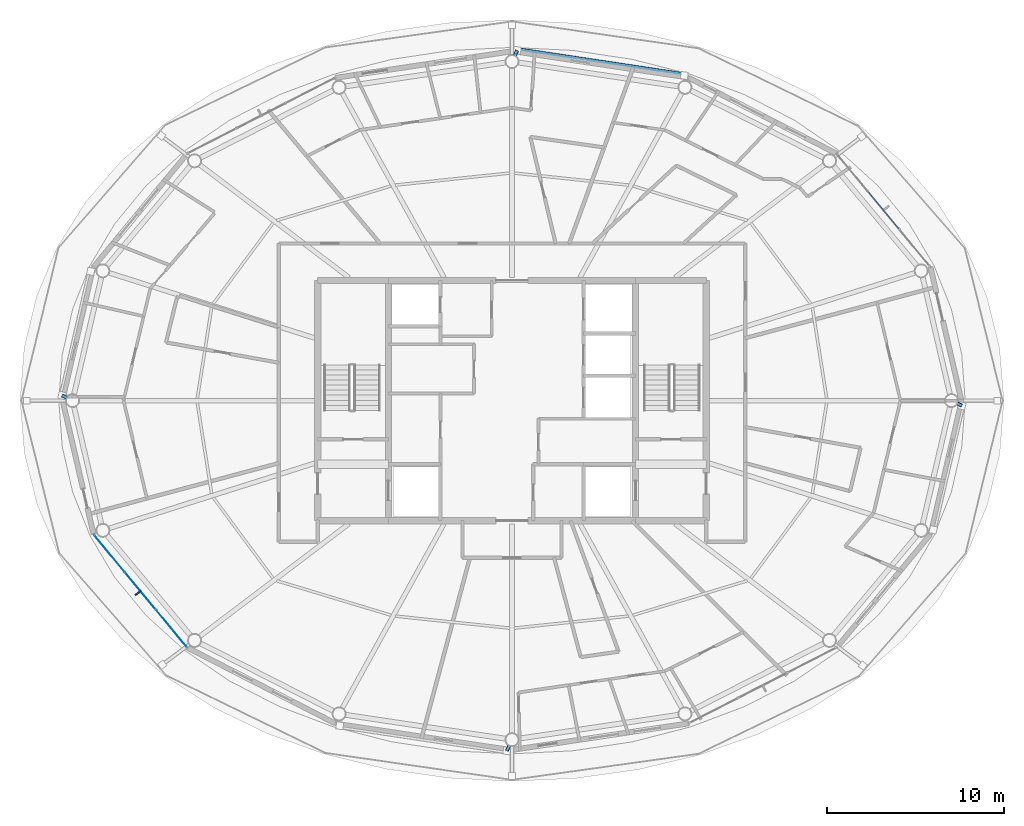
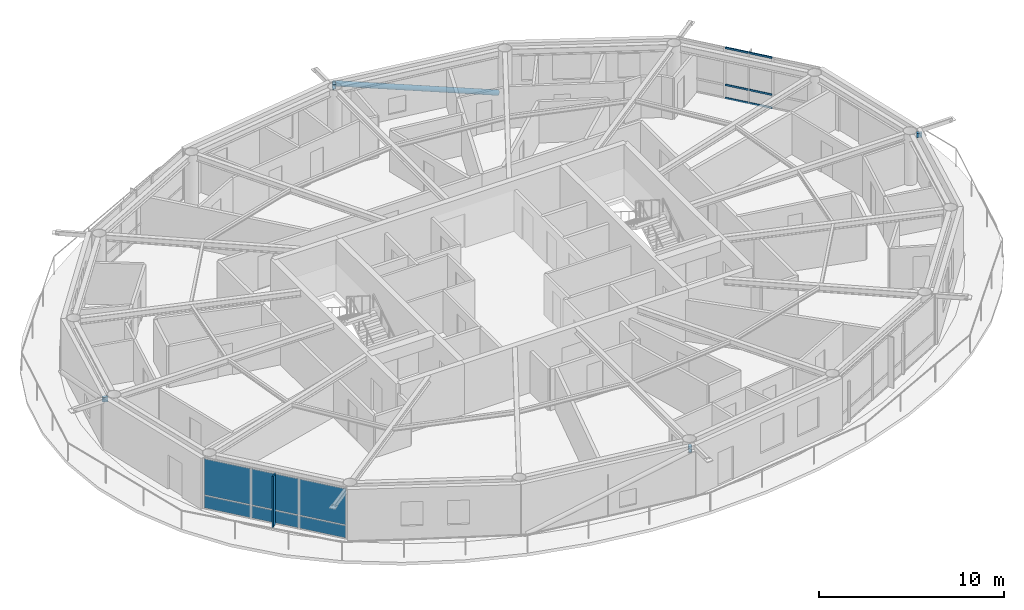
# One storey, part 12 of 23: 8 members, 7 plates, 2 elements without a shape of their own.
"""IFC4 building model written with IfcOpenShell, lengths in metres."""

from ifc_helpers import new_model, si_unit, direction, frame, origin, origin_2d, place, context, subcontext, project, spatial, rectangle, hollow_rectangle, hollow_circle, extrude, material, layer, layer_set, material_profile, profile_set, type_object, element, aggregate, save


model = new_model("IFC4")

# Units and contexts
model_context = context("Model", 3, precision=1e-05, world=origin(), true_north=direction((0.0, 1.0)))
body_context = subcontext(model_context, "Body", "Model", "MODEL_VIEW")
ifc_project = project(units=[si_unit("LENGTHUNIT", "METRE"), si_unit("AREAUNIT", "SQUARE_METRE"), si_unit("VOLUMEUNIT", "CUBIC_METRE"), si_unit("PLANEANGLEUNIT", "RADIAN"), si_unit("MASSUNIT", "GRAM", prefix="KILO")], contexts=[model_context])

# Site, building, storey
site_placement = place(None, origin())
site = spatial("IfcSite", under=ifc_project, at=site_placement, CompositionType="ELEMENT")
building_placement = place(site_placement, origin())
building = spatial("IfcBuilding", under=site, at=building_placement, Name="Sarneth Arch Tower", CompositionType="ELEMENT")
storey_placement = place(building_placement, frame((0.0, 0.0, 265.800048828125)))
storey = spatial("IfcBuildingStorey", under=building, at=storey_placement, Name="L68", CompositionType="ELEMENT", Elevation=265.800048828125)

# Curtain wall, members
ifc_material_1 = material(Name="Anodised aluminium Type AA25 and solar-control low-e laminated IGU", Category="aluminium")
ifc_layer_1 = layer(ifc_material_1, 0.179931640625)
ifc_layer_set_1 = layer_set([ifc_layer_1], Name="Anodised aluminium Type AA25 and solar-control low-e laminated IGU")
curtain_wall_type = type_object("IfcCurtainWallType", Name="CW-RES-HIGH", PredefinedType="NOTDEFINED", material=ifc_layer_set_1)
curtain_wall_1_placement = place(storey_placement, origin())
curtain_wall_1 = element("IfcCurtainWall", 1, at=curtain_wall_1_placement, inside=storey, type_object=curtain_wall_type, Name="L68 Unitised curtain wall facet 02", PredefinedType="NOTDEFINED")
ifc_material_2 = material(Name="Anodised Aluminium 6063-T6", Category="aluminium")
ifc_material_profile_1 = material_profile(ifc_material_2, hollow_rectangle(XDim=0.06005859375, YDim=0.1201171875, WallThickness=0.00390625, at=origin_2d()), Name="AL-TRAN-120x60x4")
ifc_profile_set_1 = profile_set([ifc_material_profile_1], Name="Anodised Aluminium 6063-T6")
member_type_1 = type_object("IfcMemberType", Name="CW-TRANSOM", PredefinedType="USERDEFINED", material=ifc_profile_set_1)
member_1_placement = place(storey_placement, frame((69.904296875, 51.731689453125, 0.030029296875), z_axis=(-0.637617371902, 0.770353222261, 0.0), x_axis=(-0.770353222261, -0.637617371902, 0.0)))
member_1 = element("IfcMember", 2, at=member_1_placement, type_object=member_type_1, Name="CW-SYS-6 transom 2.1", ObjectType="TRANSOM", PredefinedType="USERDEFINED", context=body_context, shape_type="SweptSolid", body=[
    extrude(hollow_rectangle(XDim=0.06005859375, YDim=0.1201171875, WallThickness=0.00390625, at=origin_2d()), origin(), (0.0, 0.0, 1.0), 2.716552734375),
])
member_2_placement = place(storey_placement, frame((69.904296875, 51.731689453125, 0.89990234375), z_axis=(-0.637617371902, 0.770353222261, 0.0), x_axis=(-0.770353222261, -0.637617371902, 0.0)))
member_2 = element("IfcMember", 3, at=member_2_placement, type_object=member_type_1, Name="CW-SYS-6 transom 2.2", ObjectType="TRANSOM", PredefinedType="USERDEFINED", context=body_context, shape_type="SweptSolid", body=[
    extrude(hollow_rectangle(XDim=0.06005859375, YDim=0.1201171875, WallThickness=0.00390625, at=origin_2d()), origin(), (0.0, 0.0, 1.0), 2.716552734375),
])
member_3_placement = place(storey_placement, frame((69.904296875, 51.731689453125, 3.33984375), z_axis=(-0.637617371902, 0.770353222261, 0.0), x_axis=(-0.770353222261, -0.637617371902, 0.0)))
member_3 = element("IfcMember", 4, at=member_3_placement, type_object=member_type_1, Name="CW-SYS-6 transom 2.3", ObjectType="TRANSOM", PredefinedType="USERDEFINED", context=body_context, shape_type="SweptSolid", body=[
    extrude(hollow_rectangle(XDim=0.06005859375, YDim=0.1201171875, WallThickness=0.00390625, at=origin_2d()), origin(), (0.0, 0.0, 1.0), 2.716552734375),
])
aggregate(curtain_wall_1, [member_1, member_2, member_3])

# Members
ifc_material_3 = material(Name="Steel S355", Category="steel")
ifc_material_profile_2 = material_profile(ifc_material_3, hollow_rectangle(XDim=0.199951171875, YDim=0.300048828125, WallThickness=0.012451171875, InnerFilletRadius=0.018798828125, OuterFilletRadius=0.03125, at=origin_2d()), Name="RHS300x200x12.5")
ifc_profile_set_2 = profile_set([ifc_material_profile_2], Name="Steel S355")
member_type_2 = type_object("IfcMemberType", Name="MEM-CANT-STRUT", PredefinedType="STRUT", material=ifc_profile_set_2)
member_4_placement = place(storey_placement, frame((48.14501953125, 61.5107421875, 3.092041015625), z_axis=(0.423071936831, 0.906096096596, 0.0), x_axis=(-0.906096096596, 0.423071936831, 0.0)))
element("IfcMember", 5, at=member_4_placement, inside=storey, type_object=member_type_2, Name="L68 Exoskeleton brace node strut 04B", PredefinedType="STRUT", context=body_context, shape_type="SweptSolid", body=[
    extrude(hollow_rectangle(XDim=0.199951171875, YDim=0.300048828125, WallThickness=0.012451171875, InnerFilletRadius=0.018798828125, OuterFilletRadius=0.03125, at=origin_2d()), origin(), (0.0, 0.0, 1.0), 0.3583984375),
])
member_5_placement = place(storey_placement, frame((22.80908203125, 42.151611328125, 3.092041015625), z_axis=(-0.897170676041, 0.441684025128, 0.0), x_axis=(-0.441684025128, -0.897170676041, 0.0)))
element("IfcMember", 6, at=member_5_placement, inside=storey, type_object=member_type_2, Name="L68 Exoskeleton brace node strut 08B", PredefinedType="STRUT", context=body_context, shape_type="SweptSolid", body=[
    extrude(hollow_rectangle(XDim=0.199951171875, YDim=0.300048828125, WallThickness=0.012451171875, InnerFilletRadius=0.018798828125, OuterFilletRadius=0.03125, at=origin_2d()), origin(), (0.0, 0.0, 1.0), 0.318359375),
])
member_6_placement = place(storey_placement, frame((47.85498046875, 22.4892578125, 3.092041015625), z_axis=(-0.423071936831, -0.906096096596, 0.0), x_axis=(0.906096096596, -0.423071936831, 0.0)))
element("IfcMember", 7, at=member_6_placement, inside=storey, type_object=member_type_2, Name="L68 Exoskeleton brace node strut 12B", PredefinedType="STRUT", context=body_context, shape_type="SweptSolid", body=[
    extrude(hollow_rectangle(XDim=0.199951171875, YDim=0.300048828125, WallThickness=0.012451171875, InnerFilletRadius=0.018798828125, OuterFilletRadius=0.03125, at=origin_2d()), origin(), (0.0, 0.0, 1.0), 0.3583984375),
])
member_7_placement = place(storey_placement, frame((73.19091796875, 41.848388671875, 3.092041015625), z_axis=(0.897170676041, -0.441684025128, 0.0), x_axis=(0.441684025128, 0.897170676041, 0.0)))
element("IfcMember", 8, at=member_7_placement, inside=storey, type_object=member_type_2, Name="L68 Exoskeleton brace node strut 16B", PredefinedType="STRUT", context=body_context, shape_type="SweptSolid", body=[
    extrude(hollow_rectangle(XDim=0.199951171875, YDim=0.300048828125, WallThickness=0.012451171875, InnerFilletRadius=0.018798828125, OuterFilletRadius=0.03125, at=origin_2d()), origin(), (0.0, 0.0, 1.0), 0.318359375),
])
ifc_material_4 = material(Name="Steel S355", Category="steel")
ifc_material_profile_3 = material_profile(ifc_material_4, hollow_circle(Radius=0.162109375, WallThickness=0.012451171875, at=origin_2d()), Name="CHS324x12.5")
ifc_profile_set_3 = profile_set([ifc_material_profile_3], Name="Steel S355")
member_type_3 = type_object("IfcMemberType", Name="MEM-DIAG-BR3", PredefinedType="BRACE", material=ifc_profile_set_3)
member_8_placement = place(storey_placement, frame((57.754150390625, 60.411376953125, 0.02001953125), z_axis=(-0.941478053537, 0.141763681302, 0.305813886821), x_axis=(-0.148897148305, -0.988852688335, 0.0)))
element("IfcMember", 9, at=member_8_placement, inside=storey, type_object=member_type_3, Name="L68 Perimeter frame diagonal 04", PredefinedType="BRACE", context=body_context, shape_type="SweptSolid", body=[
    extrude(hollow_circle(Radius=0.162109375, WallThickness=0.012451171875, at=origin_2d()), origin(), (0.0, 0.0, 1.0), 10.04541015625),
])

# Curtain wall, plates
curtain_wall_2_placement = place(storey_placement, origin())
curtain_wall_2 = element("IfcCurtainWall", 10, at=curtain_wall_2_placement, inside=storey, type_object=curtain_wall_type, Name="L68 Unitised curtain wall facet 10", PredefinedType="NOTDEFINED")
ifc_material_5 = material(Name="Solar-control low-e laminated IGU", Category="glass")
ifc_layer_2 = layer(ifc_material_5, 0.028076171875)
ifc_layer_set_2 = layer_set([ifc_layer_2], Name="Solar-control low-e laminated IGU")
plate_type_1 = type_object("IfcPlateType", Name="CW-PANEL", PredefinedType="CURTAIN_PANEL", material=ifc_layer_set_2)
plate_1_placement = place(storey_placement, frame((25.200927734375, 33.349365234375, 0.059814453125), z_axis=(0.0, 0.0, 1.0), x_axis=(0.637610094184, -0.770359245933, 0.0)))
plate_1 = element("IfcPlate", 11, at=plate_1_placement, type_object=plate_type_1, Name="Curtain wall glazed vision pane CW-L68-F10/P00-00", PredefinedType="CURTAIN_PANEL", context=body_context, shape_type="SweptSolid", body=[
    extrude(rectangle(XDim=2.686767578125, YDim=0.028076171875, at=origin_2d()), origin(), (0.0, 0.0, 1.0), 0.81005859375),
])
plate_2_placement = place(storey_placement, frame((25.200927734375, 33.349365234375, 0.929931640625), z_axis=(0.0, 0.0, 1.0), x_axis=(0.637610094184, -0.770359245933, 0.0)))
plate_2 = element("IfcPlate", 12, at=plate_2_placement, type_object=plate_type_1, Name="Curtain wall glazed vision pane CW-L68-F10/P00-01", PredefinedType="CURTAIN_PANEL", context=body_context, shape_type="SweptSolid", body=[
    extrude(rectangle(XDim=2.686767578125, YDim=0.028076171875, at=origin_2d()), origin(), (0.0, 0.0, 1.0), 2.3798828125),
])
plate_3_placement = place(storey_placement, frame((26.9619140625, 31.221923828125, 0.059814453125), z_axis=(0.0, 0.0, 1.0), x_axis=(0.637610094184, -0.770359245933, 0.0)))
plate_3 = element("IfcPlate", 13, at=plate_3_placement, type_object=plate_type_1, Name="Curtain wall glazed vision pane CW-L68-F10/P01-00", PredefinedType="CURTAIN_PANEL", context=body_context, shape_type="SweptSolid", body=[
    extrude(rectangle(XDim=2.716552734375, YDim=0.028076171875, at=origin_2d()), origin(), (0.0, 0.0, 1.0), 0.81005859375),
])
plate_4_placement = place(storey_placement, frame((26.9619140625, 31.221923828125, 0.929931640625), z_axis=(0.0, 0.0, 1.0), x_axis=(0.637610094184, -0.770359245933, 0.0)))
plate_4 = element("IfcPlate", 14, at=plate_4_placement, type_object=plate_type_1, Name="Curtain wall glazed vision pane CW-L68-F10/P01-01", PredefinedType="CURTAIN_PANEL", context=body_context, shape_type="SweptSolid", body=[
    extrude(rectangle(XDim=2.716552734375, YDim=0.028076171875, at=origin_2d()), origin(), (0.0, 0.0, 1.0), 2.3798828125),
])
plate_5_placement = place(storey_placement, frame((28.72265625, 29.094482421875, 0.059814453125), z_axis=(0.0, 0.0, 1.0), x_axis=(0.637610094184, -0.770359245933, 0.0)))
plate_5 = element("IfcPlate", 15, at=plate_5_placement, type_object=plate_type_1, Name="Curtain wall glazed vision pane CW-L68-F10/P02-00", PredefinedType="CURTAIN_PANEL", context=body_context, shape_type="SweptSolid", body=[
    extrude(rectangle(XDim=2.686767578125, YDim=0.028076171875, at=origin_2d()), origin(), (0.0, 0.0, 1.0), 0.81005859375),
])
plate_6_placement = place(storey_placement, frame((28.72265625, 29.094482421875, 0.929931640625), z_axis=(0.0, 0.0, 1.0), x_axis=(0.637610094184, -0.770359245933, 0.0)))
plate_6 = element("IfcPlate", 16, at=plate_6_placement, type_object=plate_type_1, Name="Curtain wall glazed vision pane CW-L68-F10/P02-01", PredefinedType="CURTAIN_PANEL", context=body_context, shape_type="SweptSolid", body=[
    extrude(rectangle(XDim=2.686767578125, YDim=0.028076171875, at=origin_2d()), origin(), (0.0, 0.0, 1.0), 2.3798828125),
])
aggregate(curtain_wall_2, [plate_1, plate_2, plate_3, plate_4, plate_5, plate_6])

# Plate
ifc_material_6 = material(Name="Extruded glazed terracotta baguette fin on Aluminium 6063-T6 carrier", Category="masonry")
ifc_layer_3 = layer(ifc_material_6, 0.080078125)
ifc_layer_set_3 = layer_set([ifc_layer_3], Name="Extruded glazed terracotta baguette fin on Aluminium 6063-T6 carrier")
plate_type_2 = type_object("IfcPlateType", Name="SHADE-TERRA-FIN", PredefinedType="SHEET", material=ifc_layer_set_3)
plate_7_placement = place(storey_placement, frame((26.830810546875, 31.113525390625, 0.010009765625), z_axis=(0.0, 0.0, 1.0), x_axis=(-0.770401979567, -0.63755845997, 0.0)))
element("IfcPlate", 17, at=plate_7_placement, inside=storey, type_object=plate_type_2, Name="L68 Terracotta vertical shading fin 10", PredefinedType="SHEET", context=body_context, shape_type="SweptSolid", body=[
    extrude(rectangle(XDim=0.419921875, YDim=0.080078125, at=origin_2d()), origin(), (0.0, 0.0, 1.0), 3.35009765625),
])

save(model, "model.ifc")
